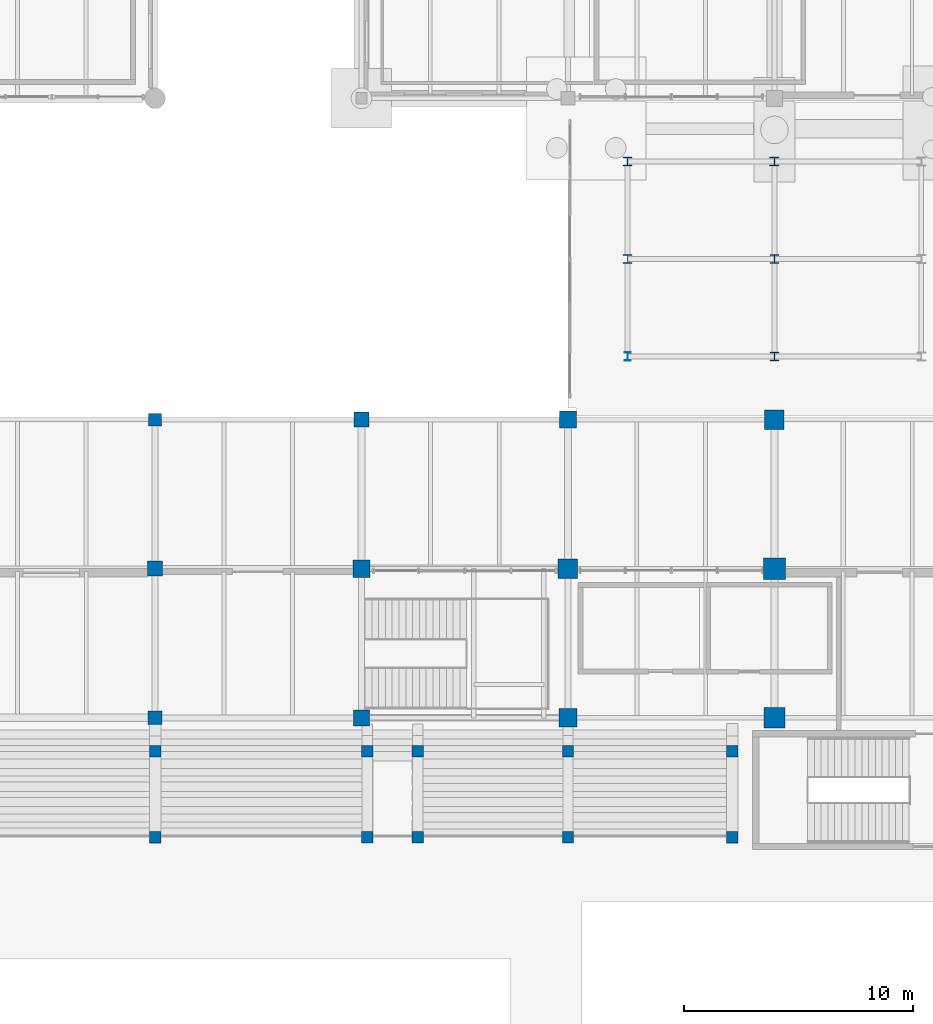
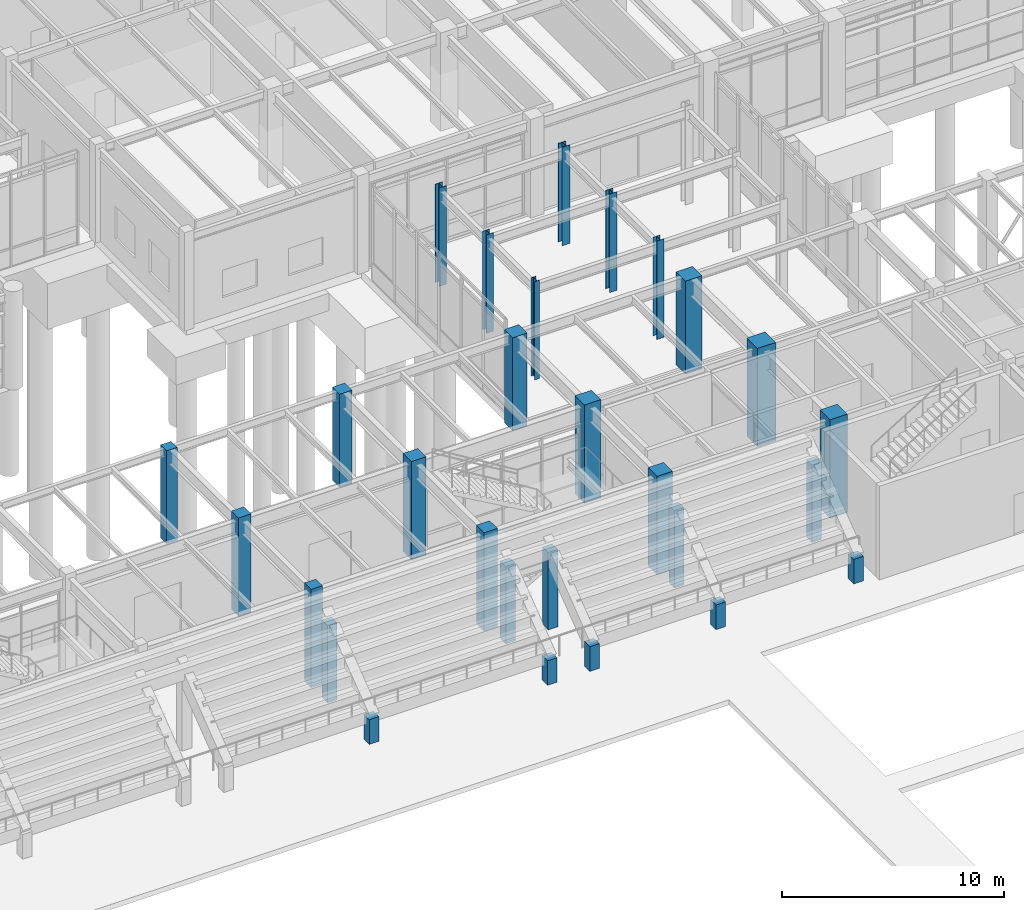
# One storey, part 14 of 203: 28 columns.
"""IFC4 building model written with IfcOpenShell, lengths in metres."""

from ifc_helpers import new_model, si_unit, direction, frame, origin, origin_2d, place, context, subcontext, project, spatial, rectangle, i_section, extrude, material, material_profile, profile_set, type_object, element, save


model = new_model("IFC4")

# Units and contexts
model_context = context("Model", 3, precision=1e-05, world=origin(), true_north=direction((0.0, 1.0)))
body_context = subcontext(model_context, "Body", "Model", "MODEL_VIEW")
ifc_project = project(units=[si_unit("LENGTHUNIT", "METRE"), si_unit("AREAUNIT", "SQUARE_METRE"), si_unit("VOLUMEUNIT", "CUBIC_METRE"), si_unit("PLANEANGLEUNIT", "RADIAN"), si_unit("MASSUNIT", "GRAM", prefix="KILO"), si_unit("THERMODYNAMICTEMPERATUREUNIT", "KELVIN"), si_unit("POWERUNIT", "WATT")], contexts=[model_context])

# Site, building, storey
site_placement = place(None, origin())
site = spatial("IfcSite", under=ifc_project, at=site_placement, CompositionType="ELEMENT")
building_placement = place(site_placement, origin())
building = spatial("IfcBuilding", under=site, at=building_placement, Name="Tepalcoro Natatorium and Aquatics Centre", CompositionType="ELEMENT")
storey_placement = place(building_placement, origin())
storey = spatial("IfcBuildingStorey", under=building, at=storey_placement, Name="L00", CompositionType="ELEMENT", Elevation=0.0)

# Columns
ifc_material_1 = material(Name="Concrete C40/50 (fc 40 MPa)", Category="concrete")
ifc_material_profile_1 = material_profile(ifc_material_1, rectangle(XDim=0.5, YDim=0.5, at=origin_2d()), Name="RC500x500")
ifc_profile_set_1 = profile_set([ifc_material_profile_1], Name="Concrete C40/50 (fc 40 MPa)")
column_type_1 = type_object("IfcColumnType", Name="COL_RC_500x500", PredefinedType="COLUMN", material=ifc_profile_set_1)
column_1_placement = place(storey_placement, frame((89.0, 53.800048828125, 0.0), z_axis=(0.0, 0.0, 1.0), x_axis=(1.0, 0.0, 0.0)))
element("IfcColumn", 1, at=column_1_placement, inside=storey, type_object=column_type_1, Name="Spectator Bowl Plinth Column N-F", PredefinedType="COLUMN", context=body_context, shape_type="SweptSolid", body=[
    extrude(rectangle(XDim=0.5, YDim=0.5, at=origin_2d()), origin(), (0.0, 0.0, 1.0), 1.35009765625),
])
column_2_placement = place(storey_placement, frame((89.0, 57.550048828125, 0.0), z_axis=(0.0, 0.0, 1.0), x_axis=(1.0, 0.0, 0.0)))
element("IfcColumn", 2, at=column_2_placement, inside=storey, type_object=column_type_1, Name="Spectator Bowl Plinth Column N-B", PredefinedType="COLUMN", context=body_context, shape_type="SweptSolid", body=[
    extrude(rectangle(XDim=0.5, YDim=0.5, at=origin_2d()), origin(), (0.0, 0.0, 1.0), 4.25),
])
column_3_placement = place(storey_placement, frame((98.25, 53.800048828125, 0.0), z_axis=(0.0, 0.0, 1.0), x_axis=(1.0, 0.0, 0.0)))
element("IfcColumn", 3, at=column_3_placement, inside=storey, type_object=column_type_1, Name="Spectator Bowl Plinth Column N-F", PredefinedType="COLUMN", context=body_context, shape_type="SweptSolid", body=[
    extrude(rectangle(XDim=0.5, YDim=0.5, at=origin_2d()), origin(), (0.0, 0.0, 1.0), 1.35009765625),
])
column_4_placement = place(storey_placement, frame((98.25, 57.550048828125, 0.0), z_axis=(0.0, 0.0, 1.0), x_axis=(1.0, 0.0, 0.0)))
element("IfcColumn", 4, at=column_4_placement, inside=storey, type_object=column_type_1, Name="Spectator Bowl Plinth Column N-B", PredefinedType="COLUMN", context=body_context, shape_type="SweptSolid", body=[
    extrude(rectangle(XDim=0.5, YDim=0.5, at=origin_2d()), origin(), (0.0, 0.0, 1.0), 4.25),
])
column_5_placement = place(storey_placement, frame((100.449951171875, 53.800048828125, 0.0), z_axis=(0.0, 0.0, 1.0), x_axis=(1.0, 0.0, 0.0)))
element("IfcColumn", 5, at=column_5_placement, inside=storey, type_object=column_type_1, Name="Spectator Bowl Plinth Column N-F", PredefinedType="COLUMN", context=body_context, shape_type="SweptSolid", body=[
    extrude(rectangle(XDim=0.5, YDim=0.5, at=origin_2d()), origin(), (0.0, 0.0, 1.0), 1.35009765625),
])
column_6_placement = place(storey_placement, frame((100.449951171875, 57.550048828125, 0.0), z_axis=(0.0, 0.0, 1.0), x_axis=(1.0, 0.0, 0.0)))
element("IfcColumn", 6, at=column_6_placement, inside=storey, type_object=column_type_1, Name="Spectator Bowl Plinth Column N-B", PredefinedType="COLUMN", context=body_context, shape_type="SweptSolid", body=[
    extrude(rectangle(XDim=0.5, YDim=0.5, at=origin_2d()), origin(), (0.0, 0.0, 1.0), 4.25),
])
column_7_placement = place(storey_placement, frame((107.0, 53.800048828125, 0.0), z_axis=(0.0, 0.0, 1.0), x_axis=(1.0, 0.0, 0.0)))
element("IfcColumn", 7, at=column_7_placement, inside=storey, type_object=column_type_1, Name="Spectator Bowl Plinth Column N-F", PredefinedType="COLUMN", context=body_context, shape_type="SweptSolid", body=[
    extrude(rectangle(XDim=0.5, YDim=0.5, at=origin_2d()), origin(), (0.0, 0.0, 1.0), 1.35009765625),
])
column_8_placement = place(storey_placement, frame((107.0, 57.550048828125, 0.0), z_axis=(0.0, 0.0, 1.0), x_axis=(1.0, 0.0, 0.0)))
element("IfcColumn", 8, at=column_8_placement, inside=storey, type_object=column_type_1, Name="Spectator Bowl Plinth Column N-B", PredefinedType="COLUMN", context=body_context, shape_type="SweptSolid", body=[
    extrude(rectangle(XDim=0.5, YDim=0.5, at=origin_2d()), origin(), (0.0, 0.0, 1.0), 4.25),
])
column_9_placement = place(storey_placement, frame((114.14990234375, 53.800048828125, 0.0), z_axis=(0.0, 0.0, 1.0), x_axis=(1.0, 0.0, 0.0)))
element("IfcColumn", 9, at=column_9_placement, inside=storey, type_object=column_type_1, Name="Spectator Bowl Plinth Column N-F", PredefinedType="COLUMN", context=body_context, shape_type="SweptSolid", body=[
    extrude(rectangle(XDim=0.5, YDim=0.5, at=origin_2d()), origin(), (0.0, 0.0, 1.0), 1.35009765625),
])
column_10_placement = place(storey_placement, frame((114.14990234375, 57.550048828125, 0.0), z_axis=(0.0, 0.0, 1.0), x_axis=(1.0, 0.0, 0.0)))
element("IfcColumn", 10, at=column_10_placement, inside=storey, type_object=column_type_1, Name="Spectator Bowl Plinth Column N-B", PredefinedType="COLUMN", context=body_context, shape_type="SweptSolid", body=[
    extrude(rectangle(XDim=0.5, YDim=0.5, at=origin_2d()), origin(), (0.0, 0.0, 1.0), 4.25),
])
ifc_material_profile_2 = material_profile(ifc_material_1, rectangle(XDim=0.550048828125, YDim=0.550048828125, at=origin_2d()), Name="RC550x550")
ifc_profile_set_2 = profile_set([ifc_material_profile_2], Name="Concrete C40/50 (fc 40 MPa)")
column_type_2 = type_object("IfcColumnType", Name="COL_RC_550x550", PredefinedType="COLUMN", material=ifc_profile_set_2)
column_11_placement = place(storey_placement, frame((89.0, 72.0, 0.0), z_axis=(0.0, 0.0, 1.0), x_axis=(1.0, 0.0, 0.0)))
element("IfcColumn", 11, at=column_11_placement, inside=storey, type_object=column_type_2, Name="V1 L00 Grid Column (89.0, 72.0)", PredefinedType="COLUMN", context=body_context, shape_type="SweptSolid", body=[
    extrude(rectangle(XDim=0.550048828125, YDim=0.550048828125, at=origin_2d()), origin(), (0.0, 0.0, 1.0), 5.10009765625),
])
ifc_material_profile_3 = material_profile(ifc_material_1, rectangle(XDim=0.60009765625, YDim=0.60009765625, at=origin_2d()), Name="RC600x600")
ifc_profile_set_3 = profile_set([ifc_material_profile_3], Name="Concrete C40/50 (fc 40 MPa)")
column_type_3 = type_object("IfcColumnType", Name="COL_RC_600x600", PredefinedType="COLUMN", material=ifc_profile_set_3)
column_12_placement = place(storey_placement, frame((89.0, 59.0, 0.0), z_axis=(0.0, 0.0, 1.0), x_axis=(1.0, 0.0, 0.0)))
element("IfcColumn", 12, at=column_12_placement, inside=storey, type_object=column_type_3, Name="V1 L00 Grid Column (89.0, 59.0)", PredefinedType="COLUMN", context=body_context, shape_type="SweptSolid", body=[
    extrude(rectangle(XDim=0.60009765625, YDim=0.60009765625, at=origin_2d()), origin(), (0.0, 0.0, 1.0), 5.39990234375),
])
ifc_material_profile_4 = material_profile(ifc_material_1, rectangle(XDim=0.64990234375, YDim=0.64990234375, at=origin_2d()), Name="RC650x650")
ifc_profile_set_4 = profile_set([ifc_material_profile_4], Name="Concrete C40/50 (fc 40 MPa)")
column_type_4 = type_object("IfcColumnType", Name="COL_RC_650x650", PredefinedType="COLUMN", material=ifc_profile_set_4)
column_13_placement = place(storey_placement, frame((89.0, 65.5, 0.0), z_axis=(0.0, 0.0, 1.0), x_axis=(1.0, 0.0, 0.0)))
element("IfcColumn", 13, at=column_13_placement, inside=storey, type_object=column_type_4, Name="V1 L00 Grid Column (89.0, 65.5)", PredefinedType="COLUMN", context=body_context, shape_type="SweptSolid", body=[
    extrude(rectangle(XDim=0.64990234375, YDim=0.64990234375, at=origin_2d()), origin(), (0.0, 0.0, 1.0), 5.39990234375),
])
column_14_placement = place(storey_placement, frame((98.0, 72.0, 0.0), z_axis=(0.0, 0.0, 1.0), x_axis=(1.0, 0.0, 0.0)))
element("IfcColumn", 14, at=column_14_placement, inside=storey, type_object=column_type_4, Name="V1 L00 Grid Column (98.0, 72.0)", PredefinedType="COLUMN", context=body_context, shape_type="SweptSolid", body=[
    extrude(rectangle(XDim=0.64990234375, YDim=0.64990234375, at=origin_2d()), origin(), (0.0, 0.0, 1.0), 5.10009765625),
])
ifc_material_profile_5 = material_profile(ifc_material_1, rectangle(XDim=0.699951171875, YDim=0.699951171875, at=origin_2d()), Name="RC700x700")
ifc_profile_set_5 = profile_set([ifc_material_profile_5], Name="Concrete C40/50 (fc 40 MPa)")
column_type_5 = type_object("IfcColumnType", Name="COL_RC_700x700", PredefinedType="COLUMN", material=ifc_profile_set_5)
column_15_placement = place(storey_placement, frame((98.0, 59.0, 0.0), z_axis=(0.0, 0.0, 1.0), x_axis=(1.0, 0.0, 0.0)))
element("IfcColumn", 15, at=column_15_placement, inside=storey, type_object=column_type_5, Name="V1 L00 Grid Column (98.0, 59.0)", PredefinedType="COLUMN", context=body_context, shape_type="SweptSolid", body=[
    extrude(rectangle(XDim=0.699951171875, YDim=0.699951171875, at=origin_2d()), origin(), (0.0, 0.0, 1.0), 5.39990234375),
])
ifc_material_profile_6 = material_profile(ifc_material_1, rectangle(XDim=0.75, YDim=0.75, at=origin_2d()), Name="RC750x750")
ifc_profile_set_6 = profile_set([ifc_material_profile_6], Name="Concrete C40/50 (fc 40 MPa)")
column_type_6 = type_object("IfcColumnType", Name="COL_RC_750x750", PredefinedType="COLUMN", material=ifc_profile_set_6)
column_16_placement = place(storey_placement, frame((98.0, 65.5, 0.0), z_axis=(0.0, 0.0, 1.0), x_axis=(1.0, 0.0, 0.0)))
element("IfcColumn", 16, at=column_16_placement, inside=storey, type_object=column_type_6, Name="V1 L00 Grid Column (98.0, 65.5)", PredefinedType="COLUMN", context=body_context, shape_type="SweptSolid", body=[
    extrude(rectangle(XDim=0.75, YDim=0.75, at=origin_2d()), origin(), (0.0, 0.0, 1.0), 5.39990234375),
])
column_17_placement = place(storey_placement, frame((107.0, 72.0, 0.0), z_axis=(0.0, 0.0, 1.0), x_axis=(1.0, 0.0, 0.0)))
element("IfcColumn", 17, at=column_17_placement, inside=storey, type_object=column_type_6, Name="V1 L00 Grid Column (107.0, 72.0)", PredefinedType="COLUMN", context=body_context, shape_type="SweptSolid", body=[
    extrude(rectangle(XDim=0.75, YDim=0.75, at=origin_2d()), origin(), (0.0, 0.0, 1.0), 5.10009765625),
])
ifc_material_profile_7 = material_profile(ifc_material_1, rectangle(XDim=0.800048828125, YDim=0.800048828125, at=origin_2d()), Name="RC800x800")
ifc_profile_set_7 = profile_set([ifc_material_profile_7], Name="Concrete C40/50 (fc 40 MPa)")
column_type_7 = type_object("IfcColumnType", Name="COL_RC_800x800", PredefinedType="COLUMN", material=ifc_profile_set_7)
column_18_placement = place(storey_placement, frame((107.0, 59.0, 0.0), z_axis=(0.0, 0.0, 1.0), x_axis=(1.0, 0.0, 0.0)))
element("IfcColumn", 18, at=column_18_placement, inside=storey, type_object=column_type_7, Name="V1 L00 Grid Column (107.0, 59.0)", PredefinedType="COLUMN", context=body_context, shape_type="SweptSolid", body=[
    extrude(rectangle(XDim=0.800048828125, YDim=0.800048828125, at=origin_2d()), origin(), (0.0, 0.0, 1.0), 5.39990234375),
])
ifc_material_profile_8 = material_profile(ifc_material_1, rectangle(XDim=0.85009765625, YDim=0.85009765625, at=origin_2d()), Name="RC850x850")
ifc_profile_set_8 = profile_set([ifc_material_profile_8], Name="Concrete C40/50 (fc 40 MPa)")
column_type_8 = type_object("IfcColumnType", Name="COL_RC_850x850", PredefinedType="COLUMN", material=ifc_profile_set_8)
column_19_placement = place(storey_placement, frame((107.0, 65.5, 0.0), z_axis=(0.0, 0.0, 1.0), x_axis=(1.0, 0.0, 0.0)))
element("IfcColumn", 19, at=column_19_placement, inside=storey, type_object=column_type_8, Name="V1 L00 Grid Column (107.0, 65.5)", PredefinedType="COLUMN", context=body_context, shape_type="SweptSolid", body=[
    extrude(rectangle(XDim=0.85009765625, YDim=0.85009765625, at=origin_2d()), origin(), (0.0, 0.0, 1.0), 5.39990234375),
])
column_20_placement = place(storey_placement, frame((116.0, 72.0, 0.0), z_axis=(0.0, 0.0, 1.0), x_axis=(1.0, 0.0, 0.0)))
element("IfcColumn", 20, at=column_20_placement, inside=storey, type_object=column_type_8, Name="V1 L00 Grid Column (116.0, 72.0)", PredefinedType="COLUMN", context=body_context, shape_type="SweptSolid", body=[
    extrude(rectangle(XDim=0.85009765625, YDim=0.85009765625, at=origin_2d()), origin(), (0.0, 0.0, 1.0), 5.10009765625),
])
ifc_material_profile_9 = material_profile(ifc_material_1, rectangle(XDim=0.89990234375, YDim=0.89990234375, at=origin_2d()), Name="RC900x900")
ifc_profile_set_9 = profile_set([ifc_material_profile_9], Name="Concrete C40/50 (fc 40 MPa)")
column_type_9 = type_object("IfcColumnType", Name="COL_RC_900x900", PredefinedType="COLUMN", material=ifc_profile_set_9)
column_21_placement = place(storey_placement, frame((116.0, 59.0, 0.0), z_axis=(0.0, 0.0, 1.0), x_axis=(1.0, 0.0, 0.0)))
element("IfcColumn", 21, at=column_21_placement, inside=storey, type_object=column_type_9, Name="V1 L00 Grid Column (116.0, 59.0)", PredefinedType="COLUMN", context=body_context, shape_type="SweptSolid", body=[
    extrude(rectangle(XDim=0.89990234375, YDim=0.89990234375, at=origin_2d()), origin(), (0.0, 0.0, 1.0), 5.39990234375),
])
ifc_material_profile_10 = material_profile(ifc_material_1, rectangle(XDim=0.949951171875, YDim=0.949951171875, at=origin_2d()), Name="RC950x950")
ifc_profile_set_10 = profile_set([ifc_material_profile_10], Name="Concrete C40/50 (fc 40 MPa)")
column_type_10 = type_object("IfcColumnType", Name="COL_RC_950x950", PredefinedType="COLUMN", material=ifc_profile_set_10)
column_22_placement = place(storey_placement, frame((116.0, 65.5, 0.0), z_axis=(0.0, 0.0, 1.0), x_axis=(1.0, 0.0, 0.0)))
element("IfcColumn", 22, at=column_22_placement, inside=storey, type_object=column_type_10, Name="V1 L00 Grid Column (116.0, 65.5)", PredefinedType="COLUMN", context=body_context, shape_type="SweptSolid", body=[
    extrude(rectangle(XDim=0.949951171875, YDim=0.949951171875, at=origin_2d()), origin(), (0.0, 0.0, 1.0), 5.39990234375),
])
ifc_material_2 = material(Name="Steel ASTM A992 Grade 50 (Fy 345 MPa)", Category="steel")
ifc_material_profile_11 = material_profile(ifc_material_2, i_section(OverallWidth=0.373046875, OverallDepth=0.367919921875, WebThickness=0.014892578125, FlangeThickness=0.02392578125, FilletRadius=0.013916015625, at=origin_2d()), Name="W14X120")
ifc_profile_set_11 = profile_set([ifc_material_profile_11], Name="Steel ASTM A992 Grade 50 (Fy 345 MPa)")
column_type_11 = type_object("IfcColumnType", Name="COL_W14x120", PredefinedType="COLUMN", material=ifc_profile_set_11)
for number, where, z_axis, x_axis, name in (
    (23, (109.60009765625, 83.25, 0.0), (0.0, 0.0, 1.0), (1.0, 0.0, 0.0), "East Court Wellness Arcade Column L00"),
    (24, (116.0, 79.0, 0.0), (0.0, 0.0, 1.0), (1.0, 0.0, 0.0), "East Court Wellness Arcade Column L00"),
):
    element("IfcColumn", number, at=place(storey_placement, frame(where, z_axis=z_axis, x_axis=x_axis)), inside=storey, type_object=column_type_11, Name=name, PredefinedType="COLUMN", context=body_context, shape_type="SweptSolid", body=[
        extrude(i_section(OverallWidth=0.373046875, OverallDepth=0.367919921875, WebThickness=0.014892578125, FlangeThickness=0.02392578125, FilletRadius=0.013916015625, at=origin_2d()), origin(), (0.0, 0.0, 1.0), 5.39990234375),
    ])
ifc_material_profile_12 = material_profile(ifc_material_2, i_section(OverallWidth=0.39404296875, OverallDepth=0.3759765625, WebThickness=0.01708984375, FlangeThickness=0.028076171875, FilletRadius=0.013916015625, at=origin_2d()), Name="W14X145")
ifc_profile_set_12 = profile_set([ifc_material_profile_12], Name="Steel ASTM A992 Grade 50 (Fy 345 MPa)")
column_type_12 = type_object("IfcColumnType", Name="COL_W14x145", PredefinedType="COLUMN", material=ifc_profile_set_12)
column_23_placement = place(storey_placement, frame((116.0, 83.25, 0.0), z_axis=(0.0, 0.0, 1.0), x_axis=(1.0, 0.0, 0.0)))
element("IfcColumn", 25, at=column_23_placement, inside=storey, type_object=column_type_12, Name="East Court Wellness Arcade Column L00", PredefinedType="COLUMN", context=body_context, shape_type="SweptSolid", body=[
    extrude(i_section(OverallWidth=0.39404296875, OverallDepth=0.3759765625, WebThickness=0.01708984375, FlangeThickness=0.028076171875, FilletRadius=0.013916015625, at=origin_2d()), origin(), (0.0, 0.0, 1.0), 5.39990234375),
])
ifc_material_profile_13 = material_profile(ifc_material_2, i_section(OverallWidth=0.25390625, OverallDepth=0.35595703125, WebThickness=0.010986328125, FlangeThickness=0.01806640625, FilletRadius=0.013916015625, at=origin_2d()), Name="W14X68")
ifc_profile_set_13 = profile_set([ifc_material_profile_13], Name="Steel ASTM A992 Grade 50 (Fy 345 MPa)")
column_type_13 = type_object("IfcColumnType", Name="COL_W14x68", PredefinedType="COLUMN", material=ifc_profile_set_13)
column_24_placement = place(storey_placement, frame((109.60009765625, 74.75, 0.0), z_axis=(0.0, 0.0, 1.0), x_axis=(1.0, 0.0, 0.0)))
element("IfcColumn", 26, at=column_24_placement, inside=storey, type_object=column_type_13, Name="East Court Wellness Arcade Column L00", PredefinedType="COLUMN", context=body_context, shape_type="SweptSolid", body=[
    extrude(i_section(OverallWidth=0.25390625, OverallDepth=0.35595703125, WebThickness=0.010986328125, FlangeThickness=0.01806640625, FilletRadius=0.013916015625, at=origin_2d()), origin(), (0.0, 0.0, 1.0), 5.39990234375),
])
ifc_material_profile_14 = material_profile(ifc_material_2, i_section(OverallWidth=0.367919921875, OverallDepth=0.35595703125, WebThickness=0.010986328125, FlangeThickness=0.01806640625, FilletRadius=0.013916015625, at=origin_2d()), Name="W14X90")
ifc_profile_set_14 = profile_set([ifc_material_profile_14], Name="Steel ASTM A992 Grade 50 (Fy 345 MPa)")
column_type_14 = type_object("IfcColumnType", Name="COL_W14x90", PredefinedType="COLUMN", material=ifc_profile_set_14)
for number, where, z_axis, x_axis, name in (
    (27, (109.60009765625, 79.0, 0.0), (0.0, 0.0, 1.0), (1.0, 0.0, 0.0), "East Court Wellness Arcade Column L00"),
    (28, (116.0, 74.75, 0.0), (0.0, 0.0, 1.0), (1.0, 0.0, 0.0), "East Court Wellness Arcade Column L00"),
):
    element("IfcColumn", number, at=place(storey_placement, frame(where, z_axis=z_axis, x_axis=x_axis)), inside=storey, type_object=column_type_14, Name=name, PredefinedType="COLUMN", context=body_context, shape_type="SweptSolid", body=[
        extrude(i_section(OverallWidth=0.367919921875, OverallDepth=0.35595703125, WebThickness=0.010986328125, FlangeThickness=0.01806640625, FilletRadius=0.013916015625, at=origin_2d()), origin(), (0.0, 0.0, 1.0), 5.39990234375),
    ])

save(model, "model.ifc")
